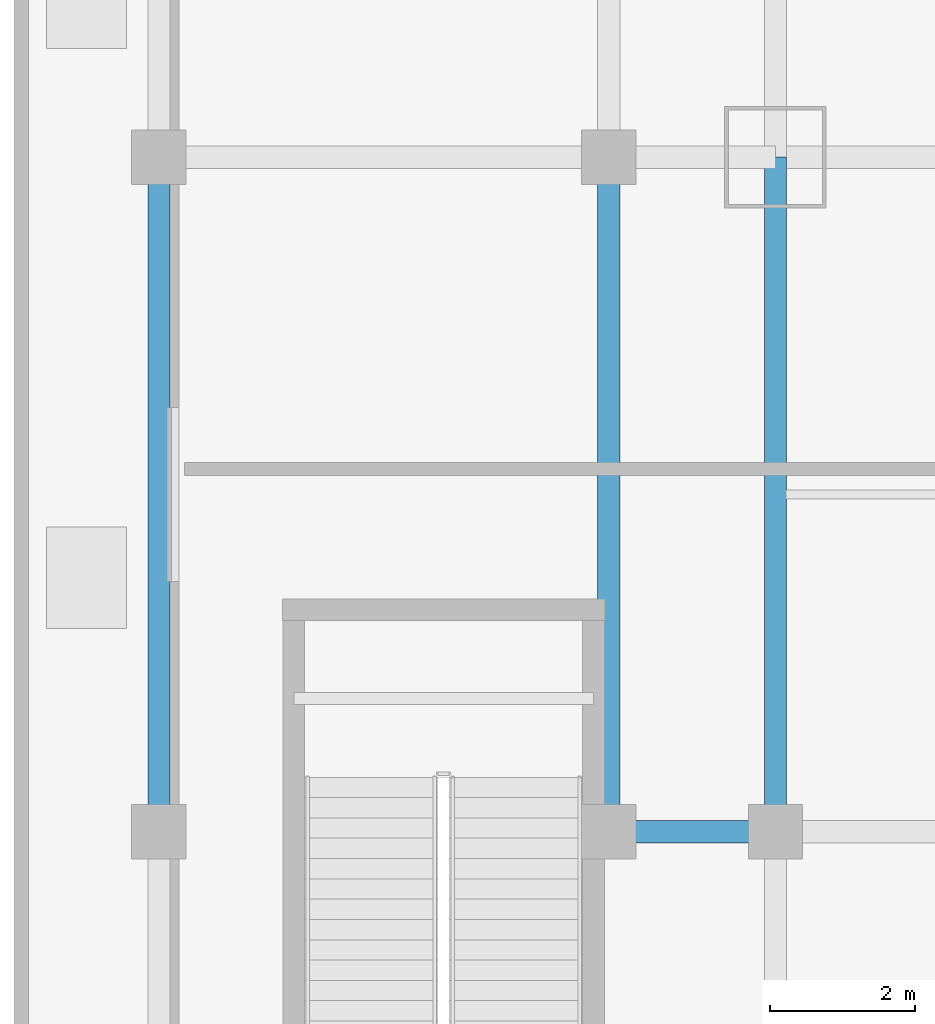
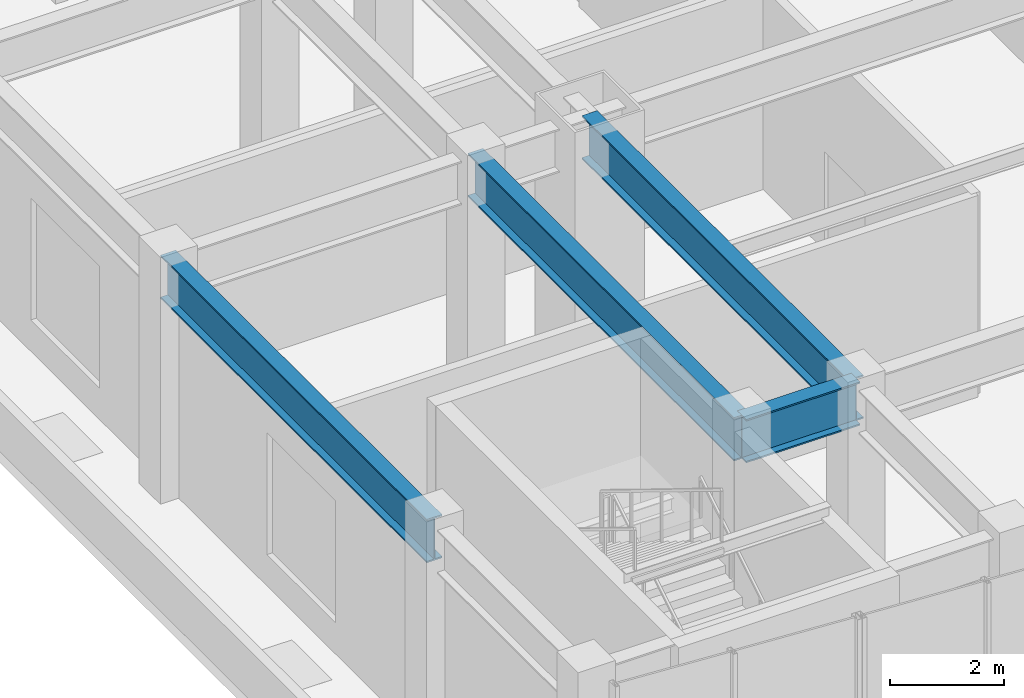
# One storey, part 3 of 24: 4 beams.
"""IFC4 building model written with IfcOpenShell, lengths in metres."""

from ifc_helpers import new_model, si_unit, direction, frame, origin, origin_2d, place, context, subcontext, project, spatial, i_section, extrude, material, material_profile, profile_set, type_object, element, save


model = new_model("IFC4")

# Units and contexts
model_context = context("Model", 3, precision=1e-05, world=origin(), true_north=direction((0.0, 1.0)))
body_context = subcontext(model_context, "Body", "Model", "MODEL_VIEW")
ifc_project = project(units=[si_unit("LENGTHUNIT", "METRE"), si_unit("AREAUNIT", "SQUARE_METRE"), si_unit("VOLUMEUNIT", "CUBIC_METRE"), si_unit("PLANEANGLEUNIT", "RADIAN"), si_unit("MASSUNIT", "GRAM", prefix="KILO")], contexts=[model_context])

# Site, building, storey
site_placement = place(None, origin())
site = spatial("IfcSite", under=ifc_project, at=site_placement, CompositionType="ELEMENT")
building_placement = place(site_placement, origin())
building = spatial("IfcBuilding", under=site, at=building_placement, Name="Vantalir Tower", CompositionType="ELEMENT")
storey_placement = place(building_placement, frame((0.0, 0.0, 16.0)))
storey = spatial("IfcBuildingStorey", under=building, at=storey_placement, Name="L03", CompositionType="ELEMENT", Elevation=16.0)

# Beams
ifc_material = material(Name="Steel S355", Category="steel")
ifc_material_profile = material_profile(ifc_material, i_section(OverallWidth=0.30810546875, OverallDepth=0.927001953125, WebThickness=0.01953125, FlangeThickness=0.031982421875, at=origin_2d()), Name="Steel S355")
ifc_profile_set = profile_set([ifc_material_profile], Name="Steel S355")
beam_type = type_object("IfcBeamType", Name="BM-PG-914x305", PredefinedType="USERDEFINED", material=ifc_profile_set)
beam_placement = place(storey_placement, frame((8.199951171875, 8.5, 4.785888671875), z_axis=(1.0, 0.0, 0.0), x_axis=(0.0, 1.0, 0.0)))
element("IfcBeam", 1, at=beam_placement, inside=storey, type_object=beam_type, Name="L03 Podium E-W Girder 07", ObjectType="GIRDER", PredefinedType="USERDEFINED", context=body_context, shape_type="SweptSolid", body=[
    extrude(i_section(OverallWidth=0.30810546875, OverallDepth=0.927001953125, WebThickness=0.01953125, FlangeThickness=0.031982421875, at=origin_2d()), origin(), (0.0, 0.0, 1.0), 2.300048828125),
])
for number, where, z_axis, x_axis, name in (
    (2, (2.0, 8.5, 4.785888671875), (0.0, 1.0, 0.0), (-1.0, 0.0, 0.0), "L03 Podium N-S Girder 38"),
    (3, (8.199951171875, 8.5, 4.785888671875), (0.0, 1.0, 0.0), (-1.0, 0.0, 0.0), "L03 Podium N-S Girder 43"),
    (4, (10.5, 8.5, 4.785888671875), (0.0, 1.0, 0.0), (-1.0, 0.0, 0.0), "L03 Podium N-S Girder 47"),
):
    element("IfcBeam", number, at=place(storey_placement, frame(where, z_axis=z_axis, x_axis=x_axis)), inside=storey, type_object=beam_type, Name=name, ObjectType="GIRDER", PredefinedType="USERDEFINED", context=body_context, shape_type="SweptSolid", body=[
        extrude(i_section(OverallWidth=0.30810546875, OverallDepth=0.927001953125, WebThickness=0.01953125, FlangeThickness=0.031982421875, at=origin_2d()), origin(), (0.0, 0.0, 1.0), 9.300048828125),
    ])

save(model, "model.ifc")
